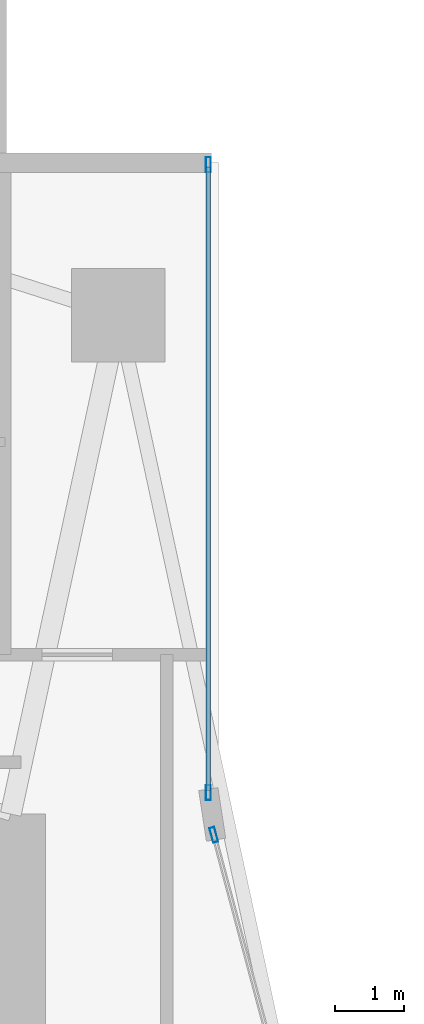
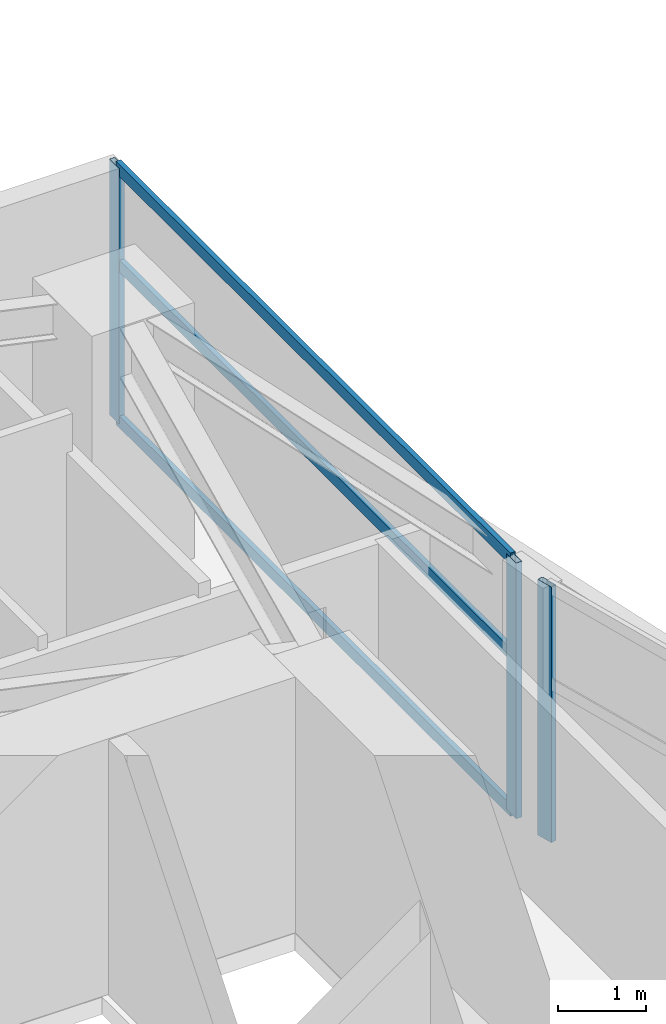
# One storey, part 18 of 30: 6 members, 2 elements without a shape of their own.
"""IFC4 building model written with IfcOpenShell, lengths in metres."""

import ifcopenshell
import ifcopenshell.guid

model = None  # the IFC model being written
_history = None  # IfcOwnerHistory: only IFC2X3 demands one
_inside = {}  # id of a spatial element -> (the spatial element, [elements in it])
_under = {}  # id of a project, library or spatial element -> (it, [spatial elements below it])
_declared = {}  # id of a project -> (the project, [libraries it declares])
_typed = {}  # id of a type object -> (the type object, [elements of that type])
_made_of = {}  # id of a material, layer set ... -> (it, [elements and type objects made of it])


def new_model(schema):
    """Start an empty IFC model of exactly this schema.

    Asked for "IFC4X3", IfcOpenShell would pick the latest addendum, in which some entities
    have other attributes; the version numbers below select the first issue.
    IFC2X3 requires an IfcOwnerHistory on every rooted entity: one is made here for all.
    """
    global model, _history
    if schema == "IFC4X3":
        model = ifcopenshell.file(schema_version=(4, 3, 0, 0))
    else:
        model = ifcopenshell.file(schema=schema)
    _inside.clear()
    _under.clear()
    _declared.clear()
    _typed.clear()
    _made_of.clear()
    _history = None
    if model.schema == "IFC2X3":
        org = make("IfcOrganization", Name="unknown")
        user = make(
            "IfcPersonAndOrganization",
            ThePerson=make("IfcPerson", FamilyName="unknown"),
            TheOrganization=org,
        )
        app = make(
            "IfcApplication",
            ApplicationDeveloper=org,
            Version="unknown",
            ApplicationFullName="unknown",
            ApplicationIdentifier="unknown",
        )
        _history = make(
            "IfcOwnerHistory",
            OwningUser=user,
            OwningApplication=app,
            ChangeAction="ADDED",
            CreationDate=0,
        )
    return model


def make(cls, **values):
    """One entity of the class cls with the attributes given. An attribute that is None is left unset."""
    return model.create_entity(
        cls, **{name: value for name, value in values.items() if value is not None}
    )


def rooted(cls, **values):
    """An entity with a GlobalId (a new one), such as an element, a storey or a relation."""
    return make(cls, GlobalId=ifcopenshell.guid.new(), OwnerHistory=_history, **values)


def si_unit(unit_type, name, prefix=None):
    """IfcSIUnit, for example si_unit("LENGTHUNIT", "METRE", prefix="MILLI")."""
    return make("IfcSIUnit", UnitType=unit_type, Prefix=prefix, Name=name)


def assignment(units):
    """IfcUnitAssignment: the units of a project."""
    return None if units is None else make("IfcUnitAssignment", Units=units)


def point(xyz):
    """IfcCartesianPoint."""
    return None if xyz is None else make("IfcCartesianPoint", Coordinates=xyz)


def direction(xyz):
    """IfcDirection."""
    return None if xyz is None else make("IfcDirection", DirectionRatios=xyz)


def frame(location, z_axis=None, x_axis=None):
    """IfcAxis2Placement3D, a coordinate frame: its origin and axes. An axis left out is left unset."""
    return make(
        "IfcAxis2Placement3D",
        Location=point(location),
        Axis=direction(z_axis),
        RefDirection=direction(x_axis),
    )


def frame_2d(location, x_axis=None):
    """IfcAxis2Placement2D, a coordinate frame in the plane: its origin and x axis."""
    return make(
        "IfcAxis2Placement2D", Location=point(location), RefDirection=direction(x_axis)
    )


def origin():
    """The frame at (0, 0, 0) with its axes left unset."""
    return frame((0.0, 0.0, 0.0))


def origin_2d():
    """The frame at (0, 0) in the plane with its x axis left unset."""
    return frame_2d((0.0, 0.0))


def place(relative_to, where):
    """IfcLocalPlacement: puts the frame where relative to a parent placement (None: the world)."""
    return make(
        "IfcLocalPlacement", PlacementRelTo=relative_to, RelativePlacement=where
    )


def context(
    kind, dimensions, precision=None, world=None, true_north=None, identifier=None
):
    """IfcGeometricRepresentationContext, for example the 3D "Model" context."""
    return make(
        "IfcGeometricRepresentationContext",
        ContextIdentifier=identifier,
        ContextType=kind,
        CoordinateSpaceDimension=dimensions,
        Precision=precision,
        WorldCoordinateSystem=world,
        TrueNorth=true_north,
    )


def subcontext(parent, identifier, kind, view, scale=None):
    """IfcGeometricRepresentationSubContext, for example "Body" below "Model"."""
    return make(
        "IfcGeometricRepresentationSubContext",
        ContextIdentifier=identifier,
        ContextType=kind,
        ParentContext=parent,
        TargetScale=scale,
        TargetView=view,
    )


def project(units=None, contexts=None):
    """IfcProject with its units and contexts."""
    return rooted(
        "IfcProject",
        Name="project",
        RepresentationContexts=contexts,
        UnitsInContext=assignment(units),
    )


def spatial(cls, under=None, at=None, **own):
    """A site, building, storey or space (cls), placed at a placement, below another one or the project."""
    s = rooted(cls, ObjectPlacement=at, **own)
    if under is not None:
        _under.setdefault(under.id(), (under, []))[1].append(s)
    return s


def profile(cls, at=None, kind="AREA", **sizes):
    """A parametric profile (cls). Its sizes go by their IFC names, for example OverallWidth=200.0."""
    return make(cls, ProfileType=kind, Position=at, **sizes)


def hollow_rectangle(**sizes):
    """IfcRectangleHollowProfileDef."""
    return profile("IfcRectangleHollowProfileDef", **sizes)


def extrude(swept, where, along, depth):
    """IfcExtrudedAreaSolid: the profile swept, set in the frame where, extruded along a direction by depth."""
    return make(
        "IfcExtrudedAreaSolid",
        SweptArea=swept,
        Position=where,
        ExtrudedDirection=direction(along),
        Depth=depth,
    )


def shape(context_of_items, identifier, shape_type, items):
    """IfcShapeRepresentation: the items that make up one representation, for example the "Body"."""
    return make(
        "IfcShapeRepresentation",
        ContextOfItems=context_of_items,
        RepresentationIdentifier=identifier,
        RepresentationType=shape_type,
        Items=items,
    )


def material(Name=None, Category=None):
    """IfcMaterial."""
    return make("IfcMaterial", Name=Name, Category=Category)


def layer(
    of_material, thickness, ventilated=None, Name=None, Category=None, Priority=None
):
    """IfcMaterialLayer: one layer of a wall or slab, of a material (None: an air gap)."""
    return make(
        "IfcMaterialLayer",
        Material=of_material,
        LayerThickness=thickness,
        IsVentilated=ventilated,
        Name=Name,
        Category=Category,
        Priority=Priority,
    )


def layer_set(layers, Name=None):
    """IfcMaterialLayerSet."""
    return make("IfcMaterialLayerSet", MaterialLayers=layers, LayerSetName=Name)


def material_profile(
    of_material, cross_section, Name=None, Category=None, Priority=None
):
    """IfcMaterialProfile: a cross section and its material."""
    return make(
        "IfcMaterialProfile",
        Name=Name,
        Material=of_material,
        Profile=cross_section,
        Priority=Priority,
        Category=Category,
    )


def profile_set(profiles, Name=None, composite=None):
    """IfcMaterialProfileSet."""
    return make(
        "IfcMaterialProfileSet",
        Name=Name,
        MaterialProfiles=profiles,
        CompositeProfile=composite,
    )


def made_of(thing, what):
    """Note that an element or type object is made of a material, layer set ...; save() writes the relation."""
    if what is not None:
        _made_of.setdefault(what.id(), (what, []))[1].append(thing)
    return thing


def type_object(cls, material=None, **own):
    """A type object (cls), such as IfcWallType, which elements share."""
    return made_of(rooted(cls, **own), material)


def element(
    cls,
    number,
    at=None,
    inside=None,
    cuts=None,
    type_object=None,
    material=None,
    context=None,
    identifier="Body",
    shape_type=None,
    held_by="IfcProductDefinitionShape",
    body=None,
    shapes=None,
    **own,
):
    """One element of the class cls, such as IfcWall. Its Tag is "e" and its number.

    at: its placement. inside: the storey or other place that contains it. cuts: it is an
    opening in that element (IfcRelVoidsElement). A single representation is given by context,
    identifier, shape_type and body (its items); several are given by shapes. held_by: the class
    of the entity that holds the representations. save() writes the other relations.
    """
    e = rooted(cls, Tag="e%d" % number, ObjectPlacement=at, **own)
    if body is not None:
        shapes = [shape(context, identifier, shape_type, body)]
    if shapes is not None:
        e.Representation = make(held_by, Representations=shapes)
    if inside is not None:
        _inside.setdefault(inside.id(), (inside, []))[1].append(e)
    if cuts is not None:
        rooted(
            "IfcRelVoidsElement", RelatingBuildingElement=cuts, RelatedOpeningElement=e
        )
    if type_object is not None:
        _typed.setdefault(type_object.id(), (type_object, []))[1].append(e)
    return made_of(e, material)


def aggregate(whole, parts):
    """IfcRelAggregates: a whole, such as a stair, and the parts it consists of."""
    return rooted("IfcRelAggregates", RelatingObject=whole, RelatedObjects=parts)


def save(model, path):
    """Write the relations noted so far, then the file.

    IfcRelAggregates (storeys below a building ...), IfcRelContainedInSpatialStructure (elements
    in a storey), IfcRelDefinesByType, IfcRelAssociatesMaterial and IfcRelDeclares: one each for
    every whole, place, type object, material and project.
    """
    for whole, parts in _under.values():
        aggregate(whole, parts)
    for where, things in _inside.values():
        rooted(
            "IfcRelContainedInSpatialStructure",
            RelatedElements=things,
            RelatingStructure=where,
        )
    for kind, things in _typed.values():
        rooted("IfcRelDefinesByType", RelatedObjects=things, RelatingType=kind)
    for what, things in _made_of.values():
        rooted("IfcRelAssociatesMaterial", RelatedObjects=things, RelatingMaterial=what)
    for by, libraries in _declared.values():
        rooted("IfcRelDeclares", RelatingContext=by, RelatedDefinitions=libraries)
    model.write(path)


model = new_model("IFC4")

# Units and contexts
model_context = context("Model", 3, precision=1e-05, world=origin(), true_north=direction((0.0, 1.0)))
body_context = subcontext(model_context, "Body", "Model", "MODEL_VIEW")
ifc_project = project(units=[si_unit("LENGTHUNIT", "METRE"), si_unit("AREAUNIT", "SQUARE_METRE"), si_unit("VOLUMEUNIT", "CUBIC_METRE"), si_unit("PLANEANGLEUNIT", "RADIAN"), si_unit("MASSUNIT", "GRAM", prefix="KILO")], contexts=[model_context])

# Site, building, storey
site_placement = place(None, origin())
site = spatial("IfcSite", under=ifc_project, at=site_placement, CompositionType="ELEMENT")
building_placement = place(site_placement, origin())
building = spatial("IfcBuilding", under=site, at=building_placement, Name="Calvorn Quay Hotel", CompositionType="ELEMENT")
storey_placement = place(building_placement, frame((0.0, 0.0, 30.800048828125)))
storey = spatial("IfcBuildingStorey", under=building, at=storey_placement, Name="L06", CompositionType="ELEMENT", Elevation=30.800048828125)

# Curtain wall, member
ifc_material_1 = material(Name="Pale Anodised Aluminium and Low-E Glass", Category="aluminium")
ifc_layer = layer(ifc_material_1, 0.219970703125)
ifc_layer_set = layer_set([ifc_layer], Name="CW-SYS-Z1")
curtain_wall_type = type_object("IfcCurtainWallType", Name="CW-SYS-Z1", PredefinedType="NOTDEFINED", material=ifc_layer_set)
curtain_wall_1_placement = place(storey_placement, origin())
curtain_wall_1 = element("IfcCurtainWall", 1, at=curtain_wall_1_placement, inside=storey, type_object=curtain_wall_type, Name="Inner Court Curtain Wall L06-IC1", PredefinedType="NOTDEFINED")
ifc_material_2 = material(Name="Pale Anodised Aluminium 6063-T6", Category="aluminium")
ifc_material_profile_1 = material_profile(ifc_material_2, hollow_rectangle(XDim=0.074951171875, YDim=0.219970703125, WallThickness=0.00439453125, at=origin_2d()), Name="ALU-M220x75x4.5")
ifc_profile_set_1 = profile_set([ifc_material_profile_1], Name="Pale Anodised Aluminium 6063-T6")
member_type_1 = type_object("IfcMemberType", Name="CW-SYS-Z1-MUL", PredefinedType="MULLION", material=ifc_profile_set_1)
member_1_placement = place(storey_placement, frame((17.9296875, 38.10107421875, 0.0), z_axis=(0.0, 0.0, 1.0), x_axis=(-0.96593652056, -0.25877913024, 0.0)))
member_1 = element("IfcMember", 2, at=member_1_placement, type_object=member_type_1, Name="CW-L06-IC1 mullion 2", PredefinedType="MULLION", context=body_context, shape_type="SweptSolid", body=[
    extrude(hollow_rectangle(XDim=0.074951171875, YDim=0.219970703125, WallThickness=0.00439453125, at=origin_2d()), origin(), (0.0, 0.0, 1.0), 3.56005859375),
])
aggregate(curtain_wall_1, [member_1])

# Curtain wall, members
curtain_wall_2_placement = place(storey_placement, origin())
curtain_wall_2 = element("IfcCurtainWall", 3, at=curtain_wall_2_placement, inside=storey, type_object=curtain_wall_type, Name="Inner Court Curtain Wall L06-IC2", PredefinedType="NOTDEFINED")
member_2_placement = place(storey_placement, frame((17.85009765625, 38.7099609375, 0.0), z_axis=(0.0, 0.0, 1.0), x_axis=(-1.0, 0.0, 0.0)))
member_2 = element("IfcMember", 4, at=member_2_placement, type_object=member_type_1, Name="CW-L06-IC2 mullion 1", PredefinedType="MULLION", context=body_context, shape_type="SweptSolid", body=[
    extrude(hollow_rectangle(XDim=0.074951171875, YDim=0.219970703125, WallThickness=0.00439453125, at=origin_2d()), origin(), (0.0, 0.0, 1.0), 3.56005859375),
])
member_3_placement = place(storey_placement, frame((17.85009765625, 47.77001953125, 0.0), z_axis=(0.0, 0.0, 1.0), x_axis=(-1.0, 0.0, 0.0)))
member_3 = element("IfcMember", 5, at=member_3_placement, type_object=member_type_1, Name="CW-L06-IC2 mullion 2", PredefinedType="MULLION", context=body_context, shape_type="SweptSolid", body=[
    extrude(hollow_rectangle(XDim=0.074951171875, YDim=0.219970703125, WallThickness=0.00439453125, at=origin_2d()), origin(), (0.0, 0.0, 1.0), 3.56005859375),
])
ifc_material_3 = material(Name="Pale Anodised Aluminium 6063-T6", Category="aluminium")
ifc_material_profile_2 = material_profile(ifc_material_3, hollow_rectangle(XDim=0.06494140625, YDim=0.1650390625, WallThickness=0.00341796875, at=origin_2d()), Name="ALU-T165x65x3.5")
ifc_profile_set_2 = profile_set([ifc_material_profile_2], Name="Pale Anodised Aluminium 6063-T6")
member_type_2 = type_object("IfcMemberType", Name="CW-SYS-Z1-TRN", PredefinedType="USERDEFINED", material=ifc_profile_set_2)
member_4_placement = place(storey_placement, frame((17.85009765625, 38.739990234375, 0.030029296875), z_axis=(0.0, 1.0, 0.0), x_axis=(-1.0, 0.0, 0.0)))
member_4 = element("IfcMember", 6, at=member_4_placement, type_object=member_type_2, Name="CW-L06-IC2 transom 1.1", ObjectType="TRANSOM", PredefinedType="USERDEFINED", context=body_context, shape_type="SweptSolid", body=[
    extrude(hollow_rectangle(XDim=0.06494140625, YDim=0.1650390625, WallThickness=0.00341796875, at=origin_2d()), origin(), (0.0, 0.0, 1.0), 9.0),
])
member_5_placement = place(storey_placement, frame((17.85009765625, 38.739990234375, 2.199951171875), z_axis=(0.0, 1.0, 0.0), x_axis=(-1.0, 0.0, 0.0)))
member_5 = element("IfcMember", 7, at=member_5_placement, type_object=member_type_2, Name="CW-L06-IC2 transom 1.2", ObjectType="TRANSOM", PredefinedType="USERDEFINED", context=body_context, shape_type="SweptSolid", body=[
    extrude(hollow_rectangle(XDim=0.06494140625, YDim=0.1650390625, WallThickness=0.00341796875, at=origin_2d()), origin(), (0.0, 0.0, 1.0), 9.0),
])
member_6_placement = place(storey_placement, frame((17.85009765625, 38.739990234375, 3.530029296875), z_axis=(0.0, 1.0, 0.0), x_axis=(-1.0, 0.0, 0.0)))
member_6 = element("IfcMember", 8, at=member_6_placement, type_object=member_type_2, Name="CW-L06-IC2 transom 1.3", ObjectType="TRANSOM", PredefinedType="USERDEFINED", context=body_context, shape_type="SweptSolid", body=[
    extrude(hollow_rectangle(XDim=0.06494140625, YDim=0.1650390625, WallThickness=0.00341796875, at=origin_2d()), origin(), (0.0, 0.0, 1.0), 9.0),
])
aggregate(curtain_wall_2, [member_2, member_3, member_4, member_5, member_6])

save(model, "model.ifc")
